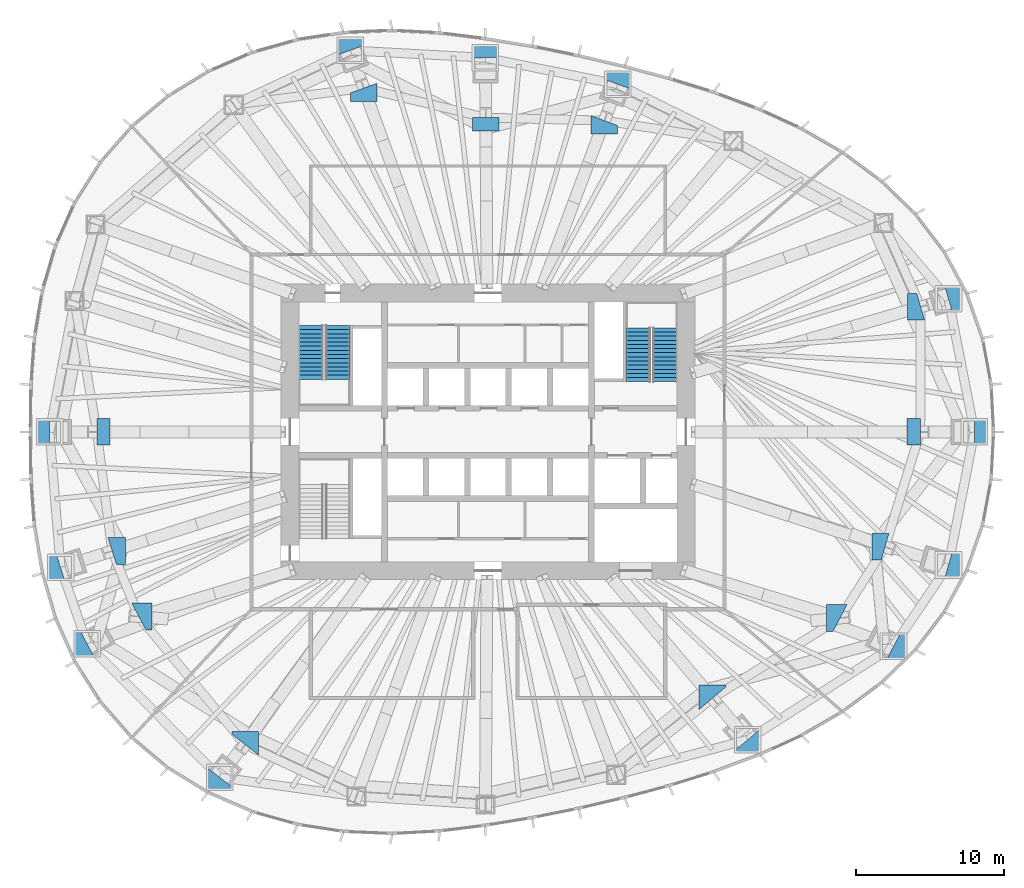
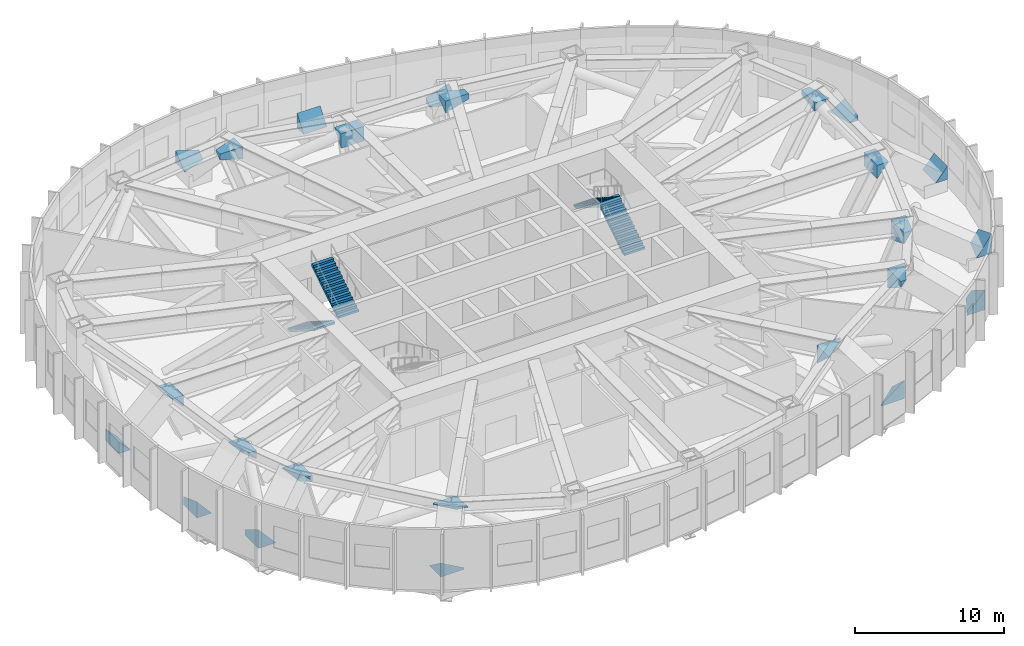
# One storey, part 11 of 12: 24 discrete accessories, 4 stair flights, 2 elements without a shape of their own.
"""IFC4 building model written with IfcOpenShell, lengths in metres."""

from ifc_helpers import new_model, si_unit, direction, frame, origin, origin_2d, place, context, subcontext, project, spatial, polyline, rectangle, outline, extrude, clip, halfspace, material, material_profile, profile_set, type_object, element, aggregate, save


model = new_model("IFC4")

# Units and contexts
model_context = context("Model", 3, precision=1e-05, world=origin(), true_north=direction((0.0, 1.0)))
body_context = subcontext(model_context, "Body", "Model", "MODEL_VIEW")
ifc_project = project(units=[si_unit("LENGTHUNIT", "METRE"), si_unit("AREAUNIT", "SQUARE_METRE"), si_unit("VOLUMEUNIT", "CUBIC_METRE"), si_unit("PLANEANGLEUNIT", "RADIAN"), si_unit("MASSUNIT", "GRAM", prefix="KILO")], contexts=[model_context])

# Site, building, storey
site_placement = place(None, origin())
site = spatial("IfcSite", under=ifc_project, at=site_placement, CompositionType="ELEMENT")
building_placement = place(site_placement, origin())
building = spatial("IfcBuilding", under=site, at=building_placement, Name="Ghaith Harvest Tower", CompositionType="ELEMENT")
storey_placement = place(building_placement, frame((0.0, 0.0, 100.0)))
storey = spatial("IfcBuildingStorey", under=building, at=storey_placement, Name="L20", CompositionType="ELEMENT", Elevation=100.0)

# Stair, stair flights
ifc_material_1 = material(Name="Concrete C40/50, precast", Category="concrete")
stair_type = type_object("IfcStairType", Name="CORE STAIR 28R", PredefinedType="HALF_TURN_STAIR", material=ifc_material_1)
stair_1_placement = place(storey_placement, origin())
stair_1 = element("IfcStair", 1, at=stair_1_placement, inside=storey, type_object=stair_type, Name="Stair ST1 L20", PredefinedType="HALF_TURN_STAIR")
ifc_material_2 = material(Name="Concrete C40/50, precast", Category="concrete")
stair_flight_type = type_object("IfcStairFlightType", Name="CORE FLIGHT 14R 1600", PredefinedType="STRAIGHT", material=ifc_material_2)
stair_flight_1_placement = place(storey_placement, frame((-12.0, 7.199951171875, 0.0), z_axis=(0.0, 0.0, 1.0), x_axis=(0.0, -1.0, 0.0)))
stair_flight_1 = element("IfcStairFlight", 2, at=stair_flight_1_placement, type_object=stair_flight_type, Name="ST1 flight 1", NumberOfRisers=14, NumberOfTreads=13, PredefinedType="STRAIGHT", RiserHeight=0.178571429, TreadLength=0.28, context=body_context, shape_type="SweptSolid", body=[
    extrude(outline(polyline([(0.0, 0.0), (0.0, 0.178466796875), (0.280029296875, 0.178466796875), (0.280029296875, 0.357177734375), (0.56005859375, 0.357177734375), (0.56005859375, 0.53564453125), (0.840087890625, 0.53564453125), (0.840087890625, 0.71435546875), (1.1201171875, 0.71435546875), (1.1201171875, 0.892822265625), (1.39990234375, 0.892822265625), (1.39990234375, 1.071533203125), (1.679931640625, 1.071533203125), (1.679931640625, 1.25), (1.9599609375, 1.25), (1.9599609375, 1.428466796875), (2.239990234375, 1.428466796875), (2.239990234375, 1.607177734375), (2.52001953125, 1.607177734375), (2.52001953125, 1.78564453125), (2.800048828125, 1.78564453125), (2.800048828125, 1.96435546875), (3.080078125, 1.96435546875), (3.080078125, 2.142822265625), (3.360107421875, 2.142822265625), (3.360107421875, 2.321533203125), (3.639892578125, 2.321533203125), (3.639892578125, 2.5), (3.639892578125, 2.1435546875), (0.27880859375, 0.0), (0.0, 0.0)])), frame((0.0, 0.800048828125, 0.0), z_axis=(0.0, -1.0, 0.0), x_axis=(1.0, 0.0, 0.0)), (0.0, 0.0, 1.0), 1.60009765625),
])
stair_flight_2_placement = place(storey_placement, frame((-10.14990234375, 3.56005859375, 2.5), z_axis=(0.0, 0.0, 1.0), x_axis=(0.0, 1.0, 0.0)))
stair_flight_2 = element("IfcStairFlight", 3, at=stair_flight_2_placement, type_object=stair_flight_type, Name="ST1 flight 2", NumberOfRisers=14, NumberOfTreads=13, PredefinedType="STRAIGHT", RiserHeight=0.178571429, TreadLength=0.28, context=body_context, shape_type="SweptSolid", body=[
    extrude(outline(polyline([(0.0, 0.0), (0.0, 0.178466796875), (0.280029296875, 0.178466796875), (0.280029296875, 0.357177734375), (0.56005859375, 0.357177734375), (0.56005859375, 0.53564453125), (0.840087890625, 0.53564453125), (0.840087890625, 0.71435546875), (1.1201171875, 0.71435546875), (1.1201171875, 0.892822265625), (1.39990234375, 0.892822265625), (1.39990234375, 1.071533203125), (1.679931640625, 1.071533203125), (1.679931640625, 1.25), (1.9599609375, 1.25), (1.9599609375, 1.428466796875), (2.239990234375, 1.428466796875), (2.239990234375, 1.607177734375), (2.52001953125, 1.607177734375), (2.52001953125, 1.78564453125), (2.800048828125, 1.78564453125), (2.800048828125, 1.96435546875), (3.080078125, 1.96435546875), (3.080078125, 2.142822265625), (3.360107421875, 2.142822265625), (3.360107421875, 2.321533203125), (3.639892578125, 2.321533203125), (3.639892578125, 2.5), (3.639892578125, 2.1435546875), (0.27880859375, 0.0), (0.0, 0.0)])), frame((0.0, 0.800048828125, 0.0), z_axis=(0.0, -1.0, 0.0), x_axis=(1.0, 0.0, 0.0)), (0.0, 0.0, 1.0), 1.60009765625),
])
aggregate(stair_1, [stair_flight_1, stair_flight_2])

stair_2_placement = place(storey_placement, origin())
stair_2 = element("IfcStair", 4, at=stair_2_placement, inside=storey, type_object=stair_type, Name="Stair ST2 L20", PredefinedType="HALF_TURN_STAIR")
stair_flight_3_placement = place(storey_placement, frame((12.0, 3.39990234375, 0.0), z_axis=(0.0, 0.0, 1.0), x_axis=(0.0, 1.0, 0.0)))
stair_flight_3 = element("IfcStairFlight", 5, at=stair_flight_3_placement, type_object=stair_flight_type, Name="ST2 flight 1", NumberOfRisers=14, NumberOfTreads=13, PredefinedType="STRAIGHT", RiserHeight=0.178571429, TreadLength=0.28, context=body_context, shape_type="SweptSolid", body=[
    extrude(outline(polyline([(0.0, 0.0), (0.0, 0.178466796875), (0.280029296875, 0.178466796875), (0.280029296875, 0.357177734375), (0.56005859375, 0.357177734375), (0.56005859375, 0.53564453125), (0.840087890625, 0.53564453125), (0.840087890625, 0.71435546875), (1.1201171875, 0.71435546875), (1.1201171875, 0.892822265625), (1.39990234375, 0.892822265625), (1.39990234375, 1.071533203125), (1.679931640625, 1.071533203125), (1.679931640625, 1.25), (1.9599609375, 1.25), (1.9599609375, 1.428466796875), (2.239990234375, 1.428466796875), (2.239990234375, 1.607177734375), (2.52001953125, 1.607177734375), (2.52001953125, 1.78564453125), (2.800048828125, 1.78564453125), (2.800048828125, 1.96435546875), (3.080078125, 1.96435546875), (3.080078125, 2.142822265625), (3.360107421875, 2.142822265625), (3.360107421875, 2.321533203125), (3.639892578125, 2.321533203125), (3.639892578125, 2.5), (3.639892578125, 2.1435546875), (0.27880859375, 0.0), (0.0, 0.0)])), frame((0.0, 0.800048828125, 0.0), z_axis=(0.0, -1.0, 0.0), x_axis=(1.0, 0.0, 0.0)), (0.0, 0.0, 1.0), 1.60009765625),
])
stair_flight_4_placement = place(storey_placement, frame((10.14990234375, 7.0400390625, 2.5), z_axis=(0.0, 0.0, 1.0), x_axis=(0.0, -1.0, 0.0)))
stair_flight_4 = element("IfcStairFlight", 6, at=stair_flight_4_placement, type_object=stair_flight_type, Name="ST2 flight 2", NumberOfRisers=14, NumberOfTreads=13, PredefinedType="STRAIGHT", RiserHeight=0.178571429, TreadLength=0.28, context=body_context, shape_type="SweptSolid", body=[
    extrude(outline(polyline([(0.0, 0.0), (0.0, 0.178466796875), (0.280029296875, 0.178466796875), (0.280029296875, 0.357177734375), (0.56005859375, 0.357177734375), (0.56005859375, 0.53564453125), (0.840087890625, 0.53564453125), (0.840087890625, 0.71435546875), (1.1201171875, 0.71435546875), (1.1201171875, 0.892822265625), (1.39990234375, 0.892822265625), (1.39990234375, 1.071533203125), (1.679931640625, 1.071533203125), (1.679931640625, 1.25), (1.9599609375, 1.25), (1.9599609375, 1.428466796875), (2.239990234375, 1.428466796875), (2.239990234375, 1.607177734375), (2.52001953125, 1.607177734375), (2.52001953125, 1.78564453125), (2.800048828125, 1.78564453125), (2.800048828125, 1.96435546875), (3.080078125, 1.96435546875), (3.080078125, 2.142822265625), (3.360107421875, 2.142822265625), (3.360107421875, 2.321533203125), (3.639892578125, 2.321533203125), (3.639892578125, 2.5), (3.639892578125, 2.1435546875), (0.27880859375, 0.0), (0.0, 0.0)])), frame((0.0, 0.800048828125, 0.0), z_axis=(0.0, -1.0, 0.0), x_axis=(1.0, 0.0, 0.0)), (0.0, 0.0, 1.0), 1.60009765625),
])
aggregate(stair_2, [stair_flight_3, stair_flight_4])

# Discrete accessories
ifc_material_3 = material(Name="Steel S460M", Category="steel")
ifc_material_profile = material_profile(ifc_material_3, rectangle(XDim=1.800048828125, YDim=1.800048828125, at=origin_2d()), Name="KINK NODE BEARING SHOE 1800")
ifc_profile_set = profile_set([ifc_material_profile], Name="Steel S460M")
discrete_accessory_type = type_object("IfcDiscreteAccessoryType", Name="KINK NODE BEARING SHOE 1800", PredefinedType="SHOE", material=ifc_profile_set)
discrete_accessory_1_placement = place(storey_placement, frame((32.925048828125, 0.0, 0.97509765625), z_axis=(0.0, 0.0, 1.0), x_axis=(1.0, 0.0, 0.0)))
element("IfcDiscreteAccessory", 7, at=discrete_accessory_1_placement, inside=storey, type_object=discrete_accessory_type, Name="Kink node bearing shoe C01 base L20", PredefinedType="SHOE", context=body_context, shape_type="Clipping", body=[
    clip(extrude(rectangle(XDim=1.800048828125, YDim=1.800048828125, at=origin_2d()), origin(), (0.0, 0.0, 1.0), 1.091796875), halfspace(frame((0.0, 0.0, 0.0), z_axis=(-0.768736670239, 0.0, 0.639565424199), x_axis=(1.0, 0.0, 0.0)), False)),
])
discrete_accessory_2_placement = place(storey_placement, frame((29.259033203125, 0.0, 2.93310546875), z_axis=(0.0, 0.0, 1.0), x_axis=(1.0, 0.0, 0.0)))
element("IfcDiscreteAccessory", 8, at=discrete_accessory_2_placement, inside=storey, type_object=discrete_accessory_type, Name="Kink node bearing shoe C01 head L20", PredefinedType="SHOE", context=body_context, shape_type="Clipping", body=[
    clip(extrude(rectangle(XDim=1.800048828125, YDim=1.800048828125, at=origin_2d()), origin(), (0.0, 0.0, 1.0), 1.091796875), halfspace(frame((0.0, 0.0, 1.091796875), z_axis=(0.768736670239, 0.0, -0.639565424199), x_axis=(1.0, 0.0, 0.0)), False)),
])
discrete_accessory_3_placement = place(storey_placement, frame((31.166015625, 9.008056640625, 0.97509765625), z_axis=(0.0, 0.0, 1.0), x_axis=(1.0, 0.0, 0.0)))
element("IfcDiscreteAccessory", 9, at=discrete_accessory_3_placement, inside=storey, type_object=discrete_accessory_type, Name="Kink node bearing shoe C02 base L20", PredefinedType="SHOE", context=body_context, shape_type="Clipping", body=[
    clip(extrude(rectangle(XDim=1.800048828125, YDim=1.800048828125, at=origin_2d()), origin(), (0.0, 0.0, 1.0), 0.72509765625), halfspace(frame((0.0, 0.0, 0.0), z_axis=(-0.518774461925, -0.150113460978, 0.841628781879), x_axis=(1.0, 0.0, 0.0)), False)),
])
discrete_accessory_4_placement = place(storey_placement, frame((29.285888671875, 8.464111328125, 3.2998046875), z_axis=(0.0, 0.0, 1.0), x_axis=(1.0, 0.0, 0.0)))
element("IfcDiscreteAccessory", 10, at=discrete_accessory_4_placement, inside=storey, type_object=discrete_accessory_type, Name="Kink node bearing shoe C02 head L20", PredefinedType="SHOE", context=body_context, shape_type="Clipping", body=[
    clip(extrude(rectangle(XDim=1.800048828125, YDim=1.800048828125, at=origin_2d()), origin(), (0.0, 0.0, 1.0), 0.72509765625), halfspace(frame((0.0, 0.0, 0.72509765625), z_axis=(0.518774461925, 0.150113460978, -0.841628781879), x_axis=(1.0, 0.0, 0.0)), False)),
])
discrete_accessory_5_placement = place(storey_placement, frame((8.794921875, 23.527099609375, 0.97509765625), z_axis=(0.0, 0.0, 1.0), x_axis=(1.0, 0.0, 0.0)))
element("IfcDiscreteAccessory", 11, at=discrete_accessory_5_placement, inside=storey, type_object=discrete_accessory_type, Name="Kink node bearing shoe C05 base L20", PredefinedType="SHOE", context=body_context, shape_type="Clipping", body=[
    clip(extrude(rectangle(XDim=1.800048828125, YDim=1.800048828125, at=origin_2d()), origin(), (0.0, 0.0, 1.0), 1.0048828125), halfspace(frame((0.0, 0.0, 0.0), z_axis=(-0.228038810004, -0.61050739201, 0.758471506013), x_axis=(1.0, 0.0, 0.0)), False)),
])
discrete_accessory_6_placement = place(storey_placement, frame((7.8779296875, 21.072021484375, 3.02001953125), z_axis=(0.0, 0.0, 1.0), x_axis=(1.0, 0.0, 0.0)))
element("IfcDiscreteAccessory", 12, at=discrete_accessory_6_placement, inside=storey, type_object=discrete_accessory_type, Name="Kink node bearing shoe C05 head L20", PredefinedType="SHOE", context=body_context, shape_type="Clipping", body=[
    clip(extrude(rectangle(XDim=1.800048828125, YDim=1.800048828125, at=origin_2d()), origin(), (0.0, 0.0, 1.0), 1.0048828125), halfspace(frame((0.0, 0.0, 1.0048828125), z_axis=(0.228038810004, 0.61050739201, -0.758471506013), x_axis=(1.0, 0.0, 0.0)), False)),
])
discrete_accessory_7_placement = place(storey_placement, frame((-0.173095703125, 25.326904296875, 0.97509765625), z_axis=(0.0, 0.0, 1.0), x_axis=(1.0, 0.0, 0.0)))
element("IfcDiscreteAccessory", 13, at=discrete_accessory_7_placement, inside=storey, type_object=discrete_accessory_type, Name="Kink node bearing shoe C06 base L20", PredefinedType="SHOE", context=body_context, shape_type="Clipping", body=[
    clip(extrude(rectangle(XDim=1.800048828125, YDim=1.800048828125, at=origin_2d()), origin(), (0.0, 0.0, 1.0), 1.214599609375), halfspace(frame((0.0, 0.0, 0.0), z_axis=(0.005320326998, -0.799231372635, 0.600999922726), x_axis=(1.0, 0.0, 0.0)), False)),
])
discrete_accessory_8_placement = place(storey_placement, frame((-0.14599609375, 21.27099609375, 2.810302734375), z_axis=(0.0, 0.0, 1.0), x_axis=(1.0, 0.0, 0.0)))
element("IfcDiscreteAccessory", 14, at=discrete_accessory_8_placement, inside=storey, type_object=discrete_accessory_type, Name="Kink node bearing shoe C06 head L20", PredefinedType="SHOE", context=body_context, shape_type="Clipping", body=[
    clip(extrude(rectangle(XDim=1.800048828125, YDim=1.800048828125, at=origin_2d()), origin(), (0.0, 0.0, 1.0), 1.214599609375), halfspace(frame((0.0, 0.0, 1.214599609375), z_axis=(-0.005320326998, 0.799231372635, -0.600999922726), x_axis=(1.0, 0.0, 0.0)), False)),
])
discrete_accessory_9_placement = place(storey_placement, frame((-9.325927734375, 25.821044921875, 0.97509765625), z_axis=(0.0, 0.0, 1.0), x_axis=(1.0, 0.0, 0.0)))
element("IfcDiscreteAccessory", 15, at=discrete_accessory_9_placement, inside=storey, type_object=discrete_accessory_type, Name="Kink node bearing shoe C07 base L20", PredefinedType="SHOE", context=body_context, shape_type="Clipping", body=[
    clip(extrude(rectangle(XDim=1.800048828125, YDim=1.800048828125, at=origin_2d()), origin(), (0.0, 0.0, 1.0), 1.031982421875), halfspace(frame((0.0, 0.0, 0.0), z_axis=(0.22539621709, -0.624193006248, 0.748050557297), x_axis=(1.0, 0.0, 0.0)), False)),
])
discrete_accessory_10_placement = place(storey_placement, frame((-8.406982421875, 23.27587890625, 2.992919921875), z_axis=(0.0, 0.0, 1.0), x_axis=(1.0, 0.0, 0.0)))
element("IfcDiscreteAccessory", 16, at=discrete_accessory_10_placement, inside=storey, type_object=discrete_accessory_type, Name="Kink node bearing shoe C07 head L20", PredefinedType="SHOE", context=body_context, shape_type="Clipping", body=[
    clip(extrude(rectangle(XDim=1.800048828125, YDim=1.800048828125, at=origin_2d()), origin(), (0.0, 0.0, 1.0), 1.031982421875), halfspace(frame((0.0, 0.0, 1.031982421875), z_axis=(-0.22539621709, 0.624193006248, -0.748050557297), x_axis=(1.0, 0.0, 0.0)), False)),
])
discrete_accessory_11_placement = place(storey_placement, frame((-29.675048828125, 0.0, 0.97509765625), z_axis=(0.0, 0.0, 1.0), x_axis=(1.0, 0.0, 0.0)))
element("IfcDiscreteAccessory", 17, at=discrete_accessory_11_placement, inside=storey, type_object=discrete_accessory_type, Name="Kink node bearing shoe C11 base L20", PredefinedType="SHOE", context=body_context, shape_type="Clipping", body=[
    clip(extrude(rectangle(XDim=1.800048828125, YDim=1.800048828125, at=origin_2d()), origin(), (0.0, 0.0, 1.0), 0.9541015625), halfspace(frame((0.0, 0.0, 0.0), z_axis=(0.72386889986, 0.0, 0.689937544866), x_axis=(1.0, 0.0, 0.0)), False)),
])
discrete_accessory_12_placement = place(storey_placement, frame((-26.47509765625, 0.0, 3.07080078125), z_axis=(0.0, 0.0, 1.0), x_axis=(1.0, 0.0, 0.0)))
element("IfcDiscreteAccessory", 18, at=discrete_accessory_12_placement, inside=storey, type_object=discrete_accessory_type, Name="Kink node bearing shoe C11 head L20", PredefinedType="SHOE", context=body_context, shape_type="Clipping", body=[
    clip(extrude(rectangle(XDim=1.800048828125, YDim=1.800048828125, at=origin_2d()), origin(), (0.0, 0.0, 1.0), 0.9541015625), halfspace(frame((0.0, 0.0, 0.9541015625), z_axis=(-0.72386889986, 0.0, -0.689937544866), x_axis=(1.0, 0.0, 0.0)), False)),
])
discrete_accessory_13_placement = place(storey_placement, frame((-28.929931640625, -9.16796875, 0.97509765625), z_axis=(0.0, 0.0, 1.0), x_axis=(1.0, 0.0, 0.0)))
element("IfcDiscreteAccessory", 19, at=discrete_accessory_13_placement, inside=storey, type_object=discrete_accessory_type, Name="Kink node bearing shoe C12 base L20", PredefinedType="SHOE", context=body_context, shape_type="Clipping", body=[
    clip(extrude(rectangle(XDim=1.800048828125, YDim=1.800048828125, at=origin_2d()), origin(), (0.0, 0.0, 1.0), 1.36767578125), halfspace(frame((0.0, 0.0, 0.0), z_axis=(0.732767187127, 0.23216178504, 0.639650807111), x_axis=(1.0, 0.0, 0.0)), False)),
])
discrete_accessory_14_placement = place(storey_placement, frame((-25.43603515625, -8.06103515625, 2.6572265625), z_axis=(0.0, 0.0, 1.0), x_axis=(1.0, 0.0, 0.0)))
element("IfcDiscreteAccessory", 20, at=discrete_accessory_14_placement, inside=storey, type_object=discrete_accessory_type, Name="Kink node bearing shoe C12 head L20", PredefinedType="SHOE", context=body_context, shape_type="Clipping", body=[
    clip(extrude(rectangle(XDim=1.800048828125, YDim=1.800048828125, at=origin_2d()), origin(), (0.0, 0.0, 1.0), 1.36767578125), halfspace(frame((0.0, 0.0, 1.36767578125), z_axis=(-0.732767187127, -0.23216178504, -0.639650807111), x_axis=(1.0, 0.0, 0.0)), False)),
])
discrete_accessory_15_placement = place(storey_placement, frame((-27.132080078125, -14.341064453125, 0.97509765625), z_axis=(0.0, 0.0, 1.0), x_axis=(1.0, 0.0, 0.0)))
element("IfcDiscreteAccessory", 21, at=discrete_accessory_15_placement, inside=storey, type_object=discrete_accessory_type, Name="Kink node bearing shoe C13 base L20", PredefinedType="SHOE", context=body_context, shape_type="Clipping", body=[
    clip(extrude(rectangle(XDim=1.800048828125, YDim=1.800048828125, at=origin_2d()), origin(), (0.0, 0.0, 1.0), 1.587158203125), halfspace(frame((0.0, 0.0, 0.0), z_axis=(0.700147975923, 0.369995269959, 0.610652365933), x_axis=(1.0, 0.0, 0.0)), False)),
])
discrete_accessory_16_placement = place(storey_placement, frame((-23.635009765625, -12.492919921875, 2.437744140625), z_axis=(0.0, 0.0, 1.0), x_axis=(1.0, 0.0, 0.0)))
element("IfcDiscreteAccessory", 22, at=discrete_accessory_16_placement, inside=storey, type_object=discrete_accessory_type, Name="Kink node bearing shoe C13 head L20", PredefinedType="SHOE", context=body_context, shape_type="Clipping", body=[
    clip(extrude(rectangle(XDim=1.800048828125, YDim=1.800048828125, at=origin_2d()), origin(), (0.0, 0.0, 1.0), 1.587158203125), halfspace(frame((0.0, 0.0, 1.587158203125), z_axis=(-0.700147975923, -0.369995269959, -0.610652365933), x_axis=(1.0, 0.0, 0.0)), False)),
])
discrete_accessory_17_placement = place(storey_placement, frame((-18.157958984375, -23.3798828125, 0.97509765625), z_axis=(0.0, 0.0, 1.0), x_axis=(1.0, 0.0, 0.0)))
element("IfcDiscreteAccessory", 23, at=discrete_accessory_17_placement, inside=storey, type_object=discrete_accessory_type, Name="Kink node bearing shoe C14 base L20", PredefinedType="SHOE", context=body_context, shape_type="Clipping", body=[
    clip(extrude(rectangle(XDim=1.800048828125, YDim=1.800048828125, at=origin_2d()), origin(), (0.0, 0.0, 1.0), 1.171630859375), halfspace(frame((0.0, 0.0, 0.0), z_axis=(0.41527189096, 0.534713834949, 0.73595541393), x_axis=(1.0, 0.0, 0.0)), False)),
])
discrete_accessory_18_placement = place(storey_placement, frame((-16.43701171875, -21.1640625, 2.853271484375), z_axis=(0.0, 0.0, 1.0), x_axis=(1.0, 0.0, 0.0)))
element("IfcDiscreteAccessory", 24, at=discrete_accessory_18_placement, inside=storey, type_object=discrete_accessory_type, Name="Kink node bearing shoe C14 head L20", PredefinedType="SHOE", context=body_context, shape_type="Clipping", body=[
    clip(extrude(rectangle(XDim=1.800048828125, YDim=1.800048828125, at=origin_2d()), origin(), (0.0, 0.0, 1.0), 1.171630859375), halfspace(frame((0.0, 0.0, 1.171630859375), z_axis=(-0.41527189096, -0.534713834949, -0.73595541393), x_axis=(1.0, 0.0, 0.0)), False)),
])
discrete_accessory_19_placement = place(storey_placement, frame((17.572021484375, -20.8369140625, 0.97509765625), z_axis=(0.0, 0.0, 1.0), x_axis=(1.0, 0.0, 0.0)))
element("IfcDiscreteAccessory", 25, at=discrete_accessory_19_placement, inside=storey, type_object=discrete_accessory_type, Name="Kink node bearing shoe C18 base L20", PredefinedType="SHOE", context=body_context, shape_type="Clipping", body=[
    clip(extrude(rectangle(XDim=1.800048828125, YDim=1.800048828125, at=origin_2d()), origin(), (0.0, 0.0, 1.0), 1.540771484375), halfspace(frame((0.0, 0.0, 0.0), z_axis=(-0.496559581648, 0.588592528583, 0.637955654548), x_axis=(1.0, 0.0, 0.0)), False)),
])
discrete_accessory_20_placement = place(storey_placement, frame((15.197998046875, -18.02294921875, 2.484130859375), z_axis=(0.0, 0.0, 1.0), x_axis=(1.0, 0.0, 0.0)))
element("IfcDiscreteAccessory", 26, at=discrete_accessory_20_placement, inside=storey, type_object=discrete_accessory_type, Name="Kink node bearing shoe C18 head L20", PredefinedType="SHOE", context=body_context, shape_type="Clipping", body=[
    clip(extrude(rectangle(XDim=1.800048828125, YDim=1.800048828125, at=origin_2d()), origin(), (0.0, 0.0, 1.0), 1.540771484375), halfspace(frame((0.0, 0.0, 1.540771484375), z_axis=(0.496559581648, -0.588592528583, -0.637955654548), x_axis=(1.0, 0.0, 0.0)), False)),
])
discrete_accessory_21_placement = place(storey_placement, frame((27.448974609375, -14.509033203125, 0.97509765625), z_axis=(0.0, 0.0, 1.0), x_axis=(1.0, 0.0, 0.0)))
element("IfcDiscreteAccessory", 27, at=discrete_accessory_21_placement, inside=storey, type_object=discrete_accessory_type, Name="Kink node bearing shoe C19 base L20", PredefinedType="SHOE", context=body_context, shape_type="Clipping", body=[
    clip(extrude(rectangle(XDim=1.800048828125, YDim=1.800048828125, at=origin_2d()), origin(), (0.0, 0.0, 1.0), 1.64404296875), halfspace(frame((0.0, 0.0, 0.0), z_axis=(-0.709222617797, 0.374872015893, 0.597054645829), x_axis=(1.0, 0.0, 0.0)), False)),
])
discrete_accessory_22_placement = place(storey_placement, frame((23.825927734375, -12.593994140625, 2.380859375), z_axis=(0.0, 0.0, 1.0), x_axis=(1.0, 0.0, 0.0)))
element("IfcDiscreteAccessory", 28, at=discrete_accessory_22_placement, inside=storey, type_object=discrete_accessory_type, Name="Kink node bearing shoe C19 head L20", PredefinedType="SHOE", context=body_context, shape_type="Clipping", body=[
    clip(extrude(rectangle(XDim=1.800048828125, YDim=1.800048828125, at=origin_2d()), origin(), (0.0, 0.0, 1.0), 1.64404296875), halfspace(frame((0.0, 0.0, 1.64404296875), z_axis=(0.709222617797, -0.374872015893, -0.597054645829), x_axis=(1.0, 0.0, 0.0)), False)),
])
discrete_accessory_23_placement = place(storey_placement, frame((31.166015625, -9.008056640625, 0.97509765625), z_axis=(0.0, 0.0, 1.0), x_axis=(1.0, 0.0, 0.0)))
element("IfcDiscreteAccessory", 29, at=discrete_accessory_23_placement, inside=storey, type_object=discrete_accessory_type, Name="Kink node bearing shoe C20 base L20", PredefinedType="SHOE", context=body_context, shape_type="Clipping", body=[
    clip(extrude(rectangle(XDim=1.800048828125, YDim=1.800048828125, at=origin_2d()), origin(), (0.0, 0.0, 1.0), 1.64111328125), halfspace(frame((0.0, 0.0, 0.0), z_axis=(-0.793162786804, 0.229366103943, 0.56416662786), x_axis=(1.0, 0.0, 0.0)), False)),
])
discrete_accessory_24_placement = place(storey_placement, frame((26.8779296875, -7.76806640625, 2.3837890625), z_axis=(0.0, 0.0, 1.0), x_axis=(1.0, 0.0, 0.0)))
element("IfcDiscreteAccessory", 30, at=discrete_accessory_24_placement, inside=storey, type_object=discrete_accessory_type, Name="Kink node bearing shoe C20 head L20", PredefinedType="SHOE", context=body_context, shape_type="Clipping", body=[
    clip(extrude(rectangle(XDim=1.800048828125, YDim=1.800048828125, at=origin_2d()), origin(), (0.0, 0.0, 1.0), 1.64111328125), halfspace(frame((0.0, 0.0, 1.64111328125), z_axis=(0.793162786804, -0.229366103943, -0.56416662786), x_axis=(1.0, 0.0, 0.0)), False)),
])

save(model, "model.ifc")
